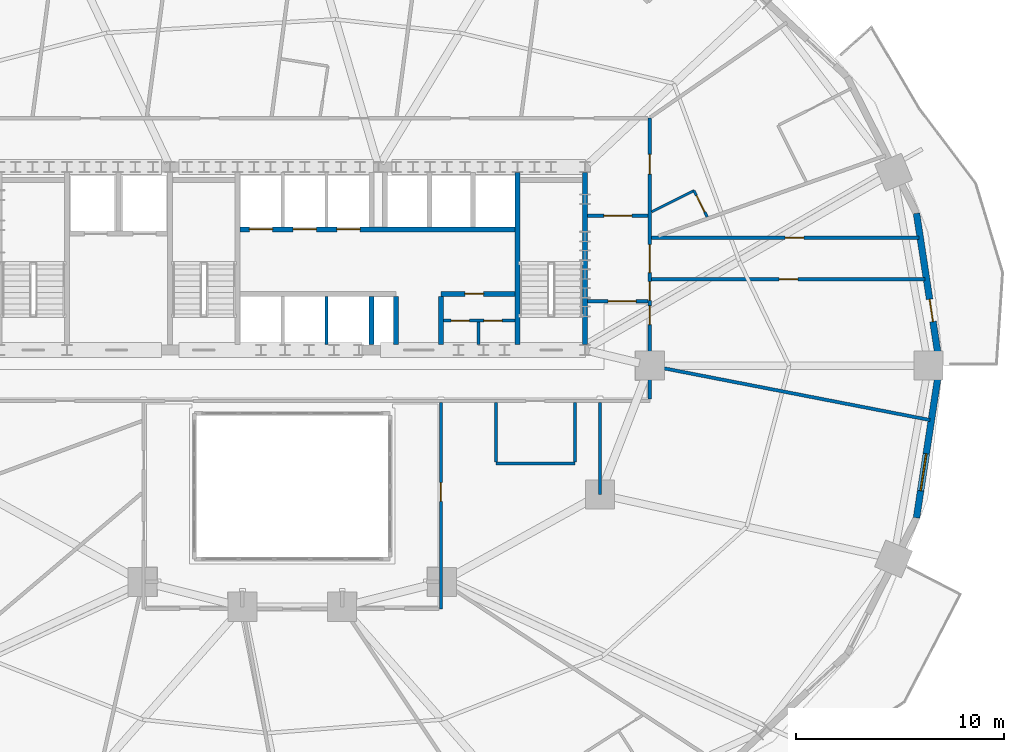
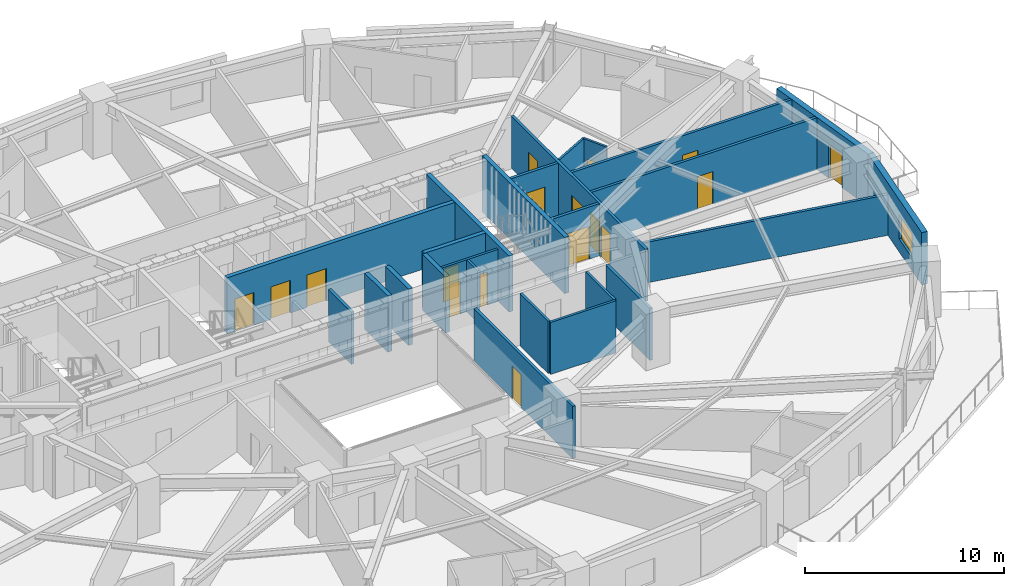
# One storey, part 11 of 17: 25 walls, 17 doors, 1 window, 18 openings.
"""IFC4 building model written with IfcOpenShell, lengths in metres."""

from ifc_helpers import new_model, si_unit, direction, frame, frame_2d, origin, place, context, subcontext, project, spatial, rectangle, extrude, material, layer, layer_set, type_object, element, fill, save


model = new_model("IFC4")

# Units and contexts
model_context = context("Model", 3, precision=1e-05, world=origin(), true_north=direction((0.0, 1.0)))
body_context = subcontext(model_context, "Body", "Model", "MODEL_VIEW")
ifc_project = project(units=[si_unit("LENGTHUNIT", "METRE"), si_unit("AREAUNIT", "SQUARE_METRE"), si_unit("VOLUMEUNIT", "CUBIC_METRE"), si_unit("PLANEANGLEUNIT", "RADIAN"), si_unit("MASSUNIT", "GRAM", prefix="KILO")], contexts=[model_context])

# Site, building, storey
site_placement = place(None, origin())
site = spatial("IfcSite", under=ifc_project, at=site_placement, CompositionType="ELEMENT")
building_placement = place(site_placement, origin())
building = spatial("IfcBuilding", under=site, at=building_placement, Name="Haldorwick Loom Tower", CompositionType="ELEMENT")
storey_placement = place(building_placement, frame((0.0, 0.0, 58.5)))
storey = spatial("IfcBuildingStorey", under=building, at=storey_placement, Name="L15", CompositionType="ELEMENT", Elevation=58.5)

# Wall, opening, door
ifc_material_1 = material(Name="Pressed Clay Face Brick and Insulated Masonry Backup Assembly", Category="masonry")
ifc_layer_1 = layer(ifc_material_1, 0.320068359375, Name="Pressed Clay Face Brick and Insulated Masonry Backup Assembly", Category="masonry")
ifc_layer_set_1 = layer_set([ifc_layer_1], Name="Pressed Clay Face Brick and Insulated Masonry Backup Assembly")
wall_type_1 = type_object("IfcWallType", Name="ARC-WL-EXT320", PredefinedType="STANDARD", material=ifc_layer_set_1)
wall_1_placement = place(storey_placement, frame((67.135986328125, 26.0, 0.0), z_axis=(0.0, 0.0, 1.0), x_axis=(-0.150476322528, 0.988613613278, 0.0)))
wall_1 = element("IfcWall", 1, at=wall_1_placement, inside=storey, type_object=wall_type_1, Name="L15 Brick Pier and Spandrel Wall 1", PredefinedType="STANDARD", context=body_context, shape_type="SweptSolid", body=[
    extrude(rectangle(XDim=7.40478515625, YDim=0.320068359375, at=frame_2d((3.702392578125, 0.0))), origin(), (0.0, 0.0, 1.0), 3.2099609375),
])
opening_1_placement = place(wall_1_placement, frame((2.1416015625, 0.0, 0.0)))
opening_1 = element("IfcOpeningElement", 2, at=opening_1_placement, cuts=wall_1, Name="Opening D-BL11", PredefinedType="OPENING", context=body_context, shape_type="SweptSolid", body=[
    extrude(rectangle(XDim=1.080078125, YDim=2.0400390625, at=frame_2d((0.5400390625, 1.02001953125))), frame((0.0, 0.169921875, 0.0), z_axis=(0.0, -1.0, 0.0), x_axis=(1.0, 0.0, 0.0)), (0.0, 0.0, 1.0), 0.340087890625),
])
ifc_material_2 = material(Name="Thermally Broken Anodized Aluminium Curtain Wall Framing", Category="aluminium")
door_type_1 = type_object("IfcDoorType", Name="ARC-DR-BAL110", OperationType="NOTDEFINED", PredefinedType="DOOR", material=ifc_material_2)
door_1_placement = place(opening_1_placement, origin())
door_1 = element("IfcDoor", 3, at=door_1_placement, inside=storey, type_object=door_type_1, Name="L15 Outdoor Terrace Door SLB-L15-BAL_ENE", OperationType="SINGLE_SWING_RIGHT", OverallHeight=2.0400390625, OverallWidth=1.080078125, PredefinedType="DOOR", context=body_context, shape_type="SweptSolid", body=[
    extrude(rectangle(XDim=1.080078125, YDim=2.0400390625, at=frame_2d((0.5400390625, 1.02001953125))), frame((0.0, 0.02490234375, 0.0), z_axis=(0.0, -1.0, 0.0), x_axis=(1.0, 0.0, 0.0)), (0.0, 0.0, 1.0), 0.050048828125),
])
fill(opening_1, door_1)

# Wall, opening, window
wall_2_placement = place(storey_placement, frame((66.021728515625, 18.679443359375, 0.0), z_axis=(0.0, 0.0, 1.0), x_axis=(0.150476322528, 0.988613613278, 0.0)))
wall_2 = element("IfcWall", 4, at=wall_2_placement, inside=storey, type_object=wall_type_1, Name="L15 Brick Pier and Spandrel Wall 24", PredefinedType="STANDARD", context=body_context, shape_type="SweptSolid", body=[
    extrude(rectangle(XDim=7.40478515625, YDim=0.320068359375, at=frame_2d((3.702392578125, 0.0))), origin(), (0.0, 0.0, 1.0), 3.2099609375),
])
opening_2_placement = place(wall_2_placement, frame((1.321533203125, 0.0, 0.800048828125)))
opening_2 = element("IfcOpeningElement", 5, at=opening_2_placement, cuts=wall_2, Name="Opening W-01", PredefinedType="OPENING", context=body_context, shape_type="SweptSolid", body=[
    extrude(rectangle(XDim=1.800048828125, YDim=1.47998046875, at=frame_2d((0.89990234375, 0.739990234375))), frame((0.0, 0.169921875, 0.0), z_axis=(0.0, -1.0, 0.0), x_axis=(1.0, 0.0, 0.0)), (0.0, 0.0, 1.0), 0.340087890625),
])
ifc_material_3 = material(Name="Triple-Glazed Low-E Argon Insulated Glazing Unit", Category="glass")
window_type = type_object("IfcWindowType", Name="ARC-WIN-W180", PartitioningType="SINGLE_PANEL", PredefinedType="WINDOW", material=ifc_material_3)
window_placement = place(opening_2_placement, origin())
window = element("IfcWindow", 6, at=window_placement, inside=storey, type_object=window_type, Name="L15 Deep-Set Zone 7A Window 24", OverallHeight=1.47998046875, OverallWidth=1.800048828125, PartitioningType="SINGLE_PANEL", PredefinedType="WINDOW", context=body_context, shape_type="SweptSolid", body=[
    extrude(rectangle(XDim=1.800048828125, YDim=1.47998046875, at=frame_2d((0.89990234375, 0.739990234375))), frame((0.0, 0.030029296875, 0.0), z_axis=(0.0, -1.0, 0.0), x_axis=(1.0, 0.0, 0.0)), (0.0, 0.0, 1.0), 0.06005859375),
])
fill(opening_2, window)

# Wall, openings, doors
ifc_material_4 = material(Name="Fire-Rated Type X Gypsum Stud Assembly EI 60")
ifc_layer_2 = layer(ifc_material_4, 0.159912109375, Name="Fire-Rated Type X Gypsum Stud Assembly EI 60")
ifc_layer_set_2 = layer_set([ifc_layer_2], Name="Fire-Rated Type X Gypsum Stud Assembly EI 60")
wall_type_2 = type_object("IfcWallType", Name="ARC-WL-FIRE160", PredefinedType="PARTITIONING", material=ifc_layer_set_2)
wall_3_placement = place(storey_placement, frame((53.199951171875, 24.383056640625, 0.0), z_axis=(0.0, 0.0, 1.0), x_axis=(0.0, 1.0, 0.0)))
wall_3 = element("IfcWall", 7, at=wall_3_placement, inside=storey, type_object=wall_type_2, Name="L15 Residential Fire Partition L15-CR-E0", PredefinedType="PARTITIONING", context=body_context, shape_type="SweptSolid", body=[
    extrude(rectangle(XDim=13.516845703125, YDim=0.159912109375, at=frame_2d((6.75830078125, 0.0))), origin(), (0.0, 0.0, 1.0), 3.195068359375),
])
opening_3_placement = place(wall_3_placement, frame((6.08349609375, 0.0, 0.0)))
opening_3 = element("IfcOpeningElement", 8, at=opening_3_placement, cuts=wall_3, Name="Opening D-CR15", PredefinedType="OPENING", context=body_context, shape_type="SweptSolid", body=[
    extrude(rectangle(XDim=1.35009765625, YDim=2.0, at=frame_2d((0.675048828125, 1.0))), frame((0.0, 0.08984375, 0.0), z_axis=(0.0, -1.0, 0.0), x_axis=(1.0, 0.0, 0.0)), (0.0, 0.0, 1.0), 0.179931640625),
])
opening_4_placement = place(wall_3_placement, frame((10.826171875, 0.0, 0.0)))
opening_4 = element("IfcOpeningElement", 9, at=opening_4_placement, cuts=wall_3, Name="Opening D-FL95", PredefinedType="OPENING", context=body_context, shape_type="SweptSolid", body=[
    extrude(rectangle(XDim=0.949951171875, YDim=2.0400390625, at=frame_2d((0.47509765625, 1.02001953125))), frame((0.0, 0.08984375, 0.0), z_axis=(0.0, -1.0, 0.0), x_axis=(1.0, 0.0, 0.0)), (0.0, 0.0, 1.0), 0.179931640625),
])
opening_5_placement = place(wall_3_placement, frame((3.5908203125, 0.0, 0.0)))
opening_5 = element("IfcOpeningElement", 10, at=opening_5_placement, cuts=wall_3, Name="Opening D-FD60A", PredefinedType="OPENING", context=body_context, shape_type="SweptSolid", body=[
    extrude(rectangle(XDim=0.89990234375, YDim=2.0, at=frame_2d((0.449951171875, 1.0))), frame((0.0, 0.08984375, 0.0), z_axis=(0.0, -1.0, 0.0), x_axis=(1.0, 0.0, 0.0)), (0.0, 0.0, 1.0), 0.179931640625),
])
opening_6_placement = place(wall_3_placement, frame((4.75732421875, 0.0, 0.0)))
opening_6 = element("IfcOpeningElement", 11, at=opening_6_placement, cuts=wall_3, Name="Opening D-FD60A", PredefinedType="OPENING", context=body_context, shape_type="SweptSolid", body=[
    extrude(rectangle(XDim=0.89990234375, YDim=2.0, at=frame_2d((0.449951171875, 1.0))), frame((0.0, 0.08984375, 0.0), z_axis=(0.0, -1.0, 0.0), x_axis=(1.0, 0.0, 0.0)), (0.0, 0.0, 1.0), 0.179931640625),
])
ifc_material_5 = material(Name="Thermally Broken Anodized Aluminium and Tempered Glass", Category="aluminium")
door_type_2 = type_object("IfcDoorType", Name="ARC-DR-COR150", OperationType="NOTDEFINED", PredefinedType="DOOR", material=ifc_material_5)
door_2_placement = place(opening_3_placement, origin())
door_2 = element("IfcDoor", 12, at=door_2_placement, inside=storey, type_object=door_type_2, Name="L15 L15 East Residential Corridor to L15 East Daylight Corridor Door", OperationType="DOUBLE_DOOR_SINGLE_SWING", OverallHeight=2.0, OverallWidth=1.35009765625, PredefinedType="DOOR", context=body_context, shape_type="SweptSolid", body=[
    extrude(rectangle(XDim=1.35009765625, YDim=2.0, at=frame_2d((0.675048828125, 1.0))), frame((0.0, 0.02490234375, 0.0), z_axis=(0.0, -1.0, 0.0), x_axis=(1.0, 0.0, 0.0)), (0.0, 0.0, 1.0), 0.050048828125),
])
fill(opening_3, door_2)
ifc_material_6 = material(Name="Hollow Steel Fire Door Assembly", Category="steel")
door_type_3 = type_object("IfcDoorType", Name="ARC-DR-FD60-90", OperationType="NOTDEFINED", PredefinedType="DOOR", material=ifc_material_6)
door_3_placement = place(opening_5_placement, origin())
door_3 = element("IfcDoor", 13, at=door_3_placement, inside=storey, type_object=door_type_3, Name="L15 L15 Central Residential Corridor to Resident Cafe Room 2 Door", OperationType="SINGLE_SWING_LEFT", OverallHeight=2.0, OverallWidth=0.89990234375, PredefinedType="DOOR", context=body_context, shape_type="SweptSolid", body=[
    extrude(rectangle(XDim=0.89990234375, YDim=2.0, at=frame_2d((0.449951171875, 1.0))), frame((0.0, 0.02490234375, 0.0), z_axis=(0.0, -1.0, 0.0), x_axis=(1.0, 0.0, 0.0)), (0.0, 0.0, 1.0), 0.050048828125),
])
fill(opening_5, door_3)
door_4_placement = place(opening_6_placement, origin())
door_4 = element("IfcDoor", 14, at=door_4_placement, inside=storey, type_object=door_type_3, Name="L15 L15 East Residential Corridor to Resident Cafe Room 2 Door", OperationType="SINGLE_SWING_RIGHT", OverallHeight=2.0, OverallWidth=0.89990234375, PredefinedType="DOOR", context=body_context, shape_type="SweptSolid", body=[
    extrude(rectangle(XDim=0.89990234375, YDim=2.0, at=frame_2d((0.449951171875, 1.0))), frame((0.0, 0.02490234375, 0.0), z_axis=(0.0, -1.0, 0.0), x_axis=(1.0, 0.0, 0.0)), (0.0, 0.0, 1.0), 0.050048828125),
])
fill(opening_6, door_4)
ifc_material_7 = material(Name="Solid Core Birch Architectural Door")
door_type_4 = type_object("IfcDoorType", Name="ARC-DR-FLAT95", OperationType="NOTDEFINED", PredefinedType="DOOR", material=ifc_material_7)
door_5_placement = place(opening_4_placement, origin())
door_5 = element("IfcDoor", 15, at=door_5_placement, inside=storey, type_object=door_type_4, Name="L15 L15 North Residential Corridor to Unit 15J Kitchen and Living Room D", OperationType="SINGLE_SWING_LEFT", OverallHeight=2.0400390625, OverallWidth=0.949951171875, PredefinedType="DOOR", context=body_context, shape_type="SweptSolid", body=[
    extrude(rectangle(XDim=0.949951171875, YDim=2.0400390625, at=frame_2d((0.47509765625, 1.02001953125))), frame((0.0, 0.02490234375, 0.0), z_axis=(0.0, -1.0, 0.0), x_axis=(1.0, 0.0, 0.0)), (0.0, 0.0, 1.0), 0.050048828125),
])
fill(opening_4, door_5)

# Wall, opening, door
wall_4_placement = place(storey_placement, frame((50.193115234375, 29.10009765625, 0.0), z_axis=(0.0, 0.0, 1.0), x_axis=(1.0, 0.0, 0.0)))
wall_4 = element("IfcWall", 16, at=wall_4_placement, inside=storey, type_object=wall_type_2, Name="L15 Residential Fire Partition L15-CR-ESJ", PredefinedType="PARTITIONING", context=body_context, shape_type="SweptSolid", body=[
    extrude(rectangle(XDim=2.923828125, YDim=0.159912109375, at=frame_2d((1.4619140625, 0.0))), origin(), (0.0, 0.0, 1.0), 3.195068359375),
])
opening_7_placement = place(wall_4_placement, frame((0.99560546875, 0.0, 0.0)))
opening_7 = element("IfcOpeningElement", 17, at=opening_7_placement, cuts=wall_4, Name="Opening D-CR15", PredefinedType="OPENING", context=body_context, shape_type="SweptSolid", body=[
    extrude(rectangle(XDim=1.35009765625, YDim=2.0, at=frame_2d((0.675048828125, 1.0))), frame((0.0, 0.08984375, 0.0), z_axis=(0.0, -1.0, 0.0), x_axis=(1.0, 0.0, 0.0)), (0.0, 0.0, 1.0), 0.179931640625),
])
door_6_placement = place(opening_7_placement, origin())
door_6 = element("IfcDoor", 18, at=door_6_placement, inside=storey, type_object=door_type_2, Name="L15 L15 East Residential Corridor to L15 Central Residential Corridor Do", OperationType="DOUBLE_DOOR_SINGLE_SWING", OverallHeight=2.0, OverallWidth=1.35009765625, PredefinedType="DOOR", context=body_context, shape_type="SweptSolid", body=[
    extrude(rectangle(XDim=1.35009765625, YDim=2.0, at=frame_2d((0.675048828125, 1.0))), frame((0.0, 0.02490234375, 0.0), z_axis=(0.0, -1.0, 0.0), x_axis=(1.0, 0.0, 0.0)), (0.0, 0.0, 1.0), 0.050048828125),
])
fill(opening_7, door_6)

wall_5_placement = place(storey_placement, frame((50.193115234375, 33.199951171875, 0.0), z_axis=(0.0, 0.0, 1.0), x_axis=(1.0, 0.0, 0.0)))
wall_5 = element("IfcWall", 19, at=wall_5_placement, inside=storey, type_object=wall_type_2, Name="L15 Residential Fire Partition L15-CR-ENJ", PredefinedType="PARTITIONING", context=body_context, shape_type="SweptSolid", body=[
    extrude(rectangle(XDim=2.923828125, YDim=0.159912109375, at=frame_2d((1.4619140625, 0.0))), origin(), (0.0, 0.0, 1.0), 3.195068359375),
])
opening_8_placement = place(wall_5_placement, frame((0.787109375, 0.0, 0.0)))
opening_8 = element("IfcOpeningElement", 20, at=opening_8_placement, cuts=wall_5, Name="Opening D-CR15", PredefinedType="OPENING", context=body_context, shape_type="SweptSolid", body=[
    extrude(rectangle(XDim=1.35009765625, YDim=2.0, at=frame_2d((0.675048828125, 1.0))), frame((0.0, 0.08984375, 0.0), z_axis=(0.0, -1.0, 0.0), x_axis=(1.0, 0.0, 0.0)), (0.0, 0.0, 1.0), 0.179931640625),
])
door_7_placement = place(opening_8_placement, origin())
door_7 = element("IfcDoor", 21, at=door_7_placement, inside=storey, type_object=door_type_2, Name="L15 L15 North Residential Corridor to L15 East Residential Corridor Door", OperationType="DOUBLE_DOOR_SINGLE_SWING", OverallHeight=2.0, OverallWidth=1.35009765625, PredefinedType="DOOR", context=body_context, shape_type="SweptSolid", body=[
    extrude(rectangle(XDim=1.35009765625, YDim=2.0, at=frame_2d((0.675048828125, 1.0))), frame((0.0, 0.02490234375, 0.0), z_axis=(0.0, -1.0, 0.0), x_axis=(1.0, 0.0, 0.0)), (0.0, 0.0, 1.0), 0.050048828125),
])
fill(opening_8, door_7)

wall_6_placement = place(storey_placement, frame((43.14990234375, 14.300048828125, 0.0), z_axis=(0.0, 0.0, 1.0), x_axis=(0.0, 1.0, 0.0)))
wall_6 = element("IfcWall", 22, at=wall_6_placement, inside=storey, type_object=wall_type_2, Name="L15 Residential Fire Partition L15-CR-AE", PredefinedType="PARTITIONING", context=body_context, shape_type="SweptSolid", body=[
    extrude(rectangle(XDim=9.9169921875, YDim=0.159912109375, at=frame_2d((4.95849609375, 0.0))), origin(), (0.0, 0.0, 1.0), 3.195068359375),
])
opening_9_placement = place(wall_6_placement, frame((5.169677734375, 0.0, 0.0)))
opening_9 = element("IfcOpeningElement", 23, at=opening_9_placement, cuts=wall_6, Name="Opening D-FD60A", PredefinedType="OPENING", context=body_context, shape_type="SweptSolid", body=[
    extrude(rectangle(XDim=0.89990234375, YDim=2.0, at=frame_2d((0.449951171875, 1.0))), frame((0.0, 0.08984375, 0.0), z_axis=(0.0, -1.0, 0.0), x_axis=(1.0, 0.0, 0.0)), (0.0, 0.0, 1.0), 0.179931640625),
])
door_8_placement = place(opening_9_placement, origin())
door_8 = element("IfcDoor", 24, at=door_8_placement, inside=storey, type_object=door_type_3, Name="L15 L15 South Atrium Corridor to Co-Working Open Office 5 Door", OperationType="SINGLE_SWING_LEFT", OverallHeight=2.0, OverallWidth=0.89990234375, PredefinedType="DOOR", context=body_context, shape_type="SweptSolid", body=[
    extrude(rectangle(XDim=0.89990234375, YDim=2.0, at=frame_2d((0.449951171875, 1.0))), frame((0.0, 0.02490234375, 0.0), z_axis=(0.0, -1.0, 0.0), x_axis=(1.0, 0.0, 0.0)), (0.0, 0.0, 1.0), 0.050048828125),
])
fill(opening_9, door_8)

wall_7_placement = place(storey_placement, frame((53.282958984375, 30.14990234375, 0.0), z_axis=(0.0, 0.0, 1.0), x_axis=(1.0, 0.0, 0.0)))
wall_7 = element("IfcWall", 25, at=wall_7_placement, inside=storey, type_object=wall_type_2, Name="L15 Residential Fire Partition L15-CR-GE0", PredefinedType="PARTITIONING", context=body_context, shape_type="SweptSolid", body=[
    extrude(rectangle(XDim=13.15576171875, YDim=0.159912109375, at=frame_2d((6.577880859375, 0.0))), origin(), (0.0, 0.0, 1.0), 3.195068359375),
])
opening_10_placement = place(wall_7_placement, frame((6.127685546875, 0.0, 0.0)))
opening_10 = element("IfcOpeningElement", 26, at=opening_10_placement, cuts=wall_7, Name="Opening D-FD60A", PredefinedType="OPENING", context=body_context, shape_type="SweptSolid", body=[
    extrude(rectangle(XDim=0.89990234375, YDim=2.0, at=frame_2d((0.449951171875, 1.0))), frame((0.0, 0.08984375, 0.0), z_axis=(0.0, -1.0, 0.0), x_axis=(1.0, 0.0, 0.0)), (0.0, 0.0, 1.0), 0.179931640625),
])
door_9_placement = place(opening_10_placement, origin())
door_9 = element("IfcDoor", 27, at=door_9_placement, inside=storey, type_object=door_type_3, Name="L15 L15 East Daylight Corridor to Resident Cafe Room 2 Door", OperationType="SINGLE_SWING_LEFT", OverallHeight=2.0, OverallWidth=0.89990234375, PredefinedType="DOOR", context=body_context, shape_type="SweptSolid", body=[
    extrude(rectangle(XDim=0.89990234375, YDim=2.0, at=frame_2d((0.449951171875, 1.0))), frame((0.0, 0.02490234375, 0.0), z_axis=(0.0, -1.0, 0.0), x_axis=(1.0, 0.0, 0.0)), (0.0, 0.0, 1.0), 0.050048828125),
])
fill(opening_10, door_9)

wall_8_placement = place(storey_placement, frame((53.282958984375, 32.14990234375, 0.0), z_axis=(0.0, 0.0, 1.0), x_axis=(1.0, 0.0, 0.0)))
wall_8 = element("IfcWall", 28, at=wall_8_placement, inside=storey, type_object=wall_type_2, Name="L15 Residential Fire Partition L15-CR-GE1", PredefinedType="PARTITIONING", context=body_context, shape_type="SweptSolid", body=[
    extrude(rectangle(XDim=12.851318359375, YDim=0.159912109375, at=frame_2d((6.42578125, 0.0))), origin(), (0.0, 0.0, 1.0), 3.195068359375),
])
opening_11_placement = place(wall_8_placement, frame((6.418701171875, 0.0, 0.0)))
opening_11 = element("IfcOpeningElement", 29, at=opening_11_placement, cuts=wall_8, Name="Opening D-FD60A", PredefinedType="OPENING", context=body_context, shape_type="SweptSolid", body=[
    extrude(rectangle(XDim=0.89990234375, YDim=2.0, at=frame_2d((0.449951171875, 1.0))), frame((0.0, 0.08984375, 0.0), z_axis=(0.0, -1.0, 0.0), x_axis=(1.0, 0.0, 0.0)), (0.0, 0.0, 1.0), 0.179931640625),
])
door_10_placement = place(opening_11_placement, frame((0.89990234375, 0.0, 0.0), z_axis=(0.0, 0.0, 1.0), x_axis=(-1.0, 0.0, 0.0)))
door_10 = element("IfcDoor", 30, at=door_10_placement, inside=storey, type_object=door_type_3, Name="L15 Tenant Committee Meeting Room 9 to L15 East Daylight Corridor Door", OperationType="SINGLE_SWING_LEFT", OverallHeight=2.0, OverallWidth=0.89990234375, PredefinedType="DOOR", context=body_context, shape_type="SweptSolid", body=[
    extrude(rectangle(XDim=0.89990234375, YDim=2.0, at=frame_2d((0.449951171875, 1.0))), frame((0.0, 0.02490234375, 0.0), z_axis=(0.0, -1.0, 0.0), x_axis=(1.0, 0.0, 0.0)), (0.0, 0.0, 1.0), 0.050048828125),
])
fill(opening_11, door_10)

# Walls
wall_9_placement = place(storey_placement, frame((53.282958984375, 25.98388671875, 0.0), z_axis=(0.0, 0.0, 1.0), x_axis=(0.98162656706, -0.190812166391, 0.0)))
element("IfcWall", 31, at=wall_9_placement, inside=storey, type_object=wall_type_2, Name="L15 Residential Fire Partition L15-ICR-01", PredefinedType="PARTITIONING", context=body_context, shape_type="SweptSolid", body=[
    extrude(rectangle(XDim=13.63916015625, YDim=0.159912109375, at=frame_2d((6.819580078125, 0.0))), origin(), (0.0, 0.0, 1.0), 2.489990234375),
])
wall_10_placement = place(storey_placement, frame((50.800048828125, 24.217041015625, 0.0), z_axis=(0.0, 0.0, 1.0), x_axis=(0.0, -1.0, 0.0)))
element("IfcWall", 32, at=wall_10_placement, inside=storey, type_object=wall_type_2, Name="L15 Residential Fire Partition L15-ICA-02", PredefinedType="PARTITIONING", context=body_context, shape_type="SweptSolid", body=[
    extrude(rectangle(XDim=4.4169921875, YDim=0.159912109375, at=frame_2d((2.20849609375, 0.0))), origin(), (0.0, 0.0, 1.0), 3.195068359375),
])

# Wall, opening, door
ifc_material_8 = material(Name="Acoustic Gypsum Stud Assembly STC 55")
ifc_layer_3 = layer(ifc_material_8, 0.1201171875, Name="Acoustic Gypsum Stud Assembly STC 55")
ifc_layer_set_3 = layer_set([ifc_layer_3], Name="Acoustic Gypsum Stud Assembly STC 55")
wall_type_3 = type_object("IfcWallType", Name="ARC-WL-PART120", PredefinedType="PARTITIONING", material=ifc_layer_set_3)
wall_11_placement = place(storey_placement, frame((55.95458984375, 33.152099609375, 0.0), z_axis=(0.0, 0.0, 1.0), x_axis=(-0.449491547188, 0.893284584557, 0.0)))
wall_11 = element("IfcWall", 33, at=wall_11_placement, inside=storey, type_object=wall_type_3, Name="L15 Unit 15J Interior Partition", PredefinedType="PARTITIONING", context=body_context, shape_type="SweptSolid", body=[
    extrude(rectangle(XDim=1.413818359375, YDim=0.1201171875, at=frame_2d((0.70703125, 0.0))), origin(), (0.0, 0.0, 1.0), 3.195068359375),
])
opening_12_placement = place(wall_11_placement, frame((0.266845703125, 0.0, 0.0)))
opening_12 = element("IfcOpeningElement", 34, at=opening_12_placement, cuts=wall_11, Name="Opening D-BT88", PredefinedType="OPENING", context=body_context, shape_type="SweptSolid", body=[
    extrude(rectangle(XDim=0.8798828125, YDim=2.02001953125, at=frame_2d((0.43994140625, 1.010009765625))), frame((0.0, 0.070068359375, 0.0), z_axis=(0.0, -1.0, 0.0), x_axis=(1.0, 0.0, 0.0)), (0.0, 0.0, 1.0), 0.14013671875),
])
door_type_5 = type_object("IfcDoorType", Name="ARC-DR-BATH88", OperationType="NOTDEFINED", PredefinedType="DOOR", material=ifc_material_7)
door_11_placement = place(opening_12_placement, origin())
door_11 = element("IfcDoor", 35, at=door_11_placement, inside=storey, type_object=door_type_5, Name="L15 Unit 15J Bathroom to Unit 15J Kitchen and Living Room Door", OperationType="SINGLE_SWING_RIGHT", OverallHeight=2.02001953125, OverallWidth=0.8798828125, PredefinedType="DOOR", context=body_context, shape_type="SweptSolid", body=[
    extrude(rectangle(XDim=0.8798828125, YDim=2.02001953125, at=frame_2d((0.43994140625, 1.010009765625))), frame((0.0, 0.02490234375, 0.0), z_axis=(0.0, -1.0, 0.0), x_axis=(1.0, 0.0, 0.0)), (0.0, 0.0, 1.0), 0.050048828125),
])
fill(opening_12, door_11)

# Wall
wall_12_placement = place(storey_placement, frame((53.282958984375, 33.390380859375, 0.0), z_axis=(0.0, 0.0, 1.0), x_axis=(0.893267449767, 0.449525597922, 0.0)))
element("IfcWall", 36, at=wall_12_placement, inside=storey, type_object=wall_type_3, Name="L15 Unit 15J Interior Partition", PredefinedType="PARTITIONING", context=body_context, shape_type="SweptSolid", body=[
    extrude(rectangle(XDim=2.279541015625, YDim=0.1201171875, at=frame_2d((1.1396484375, 0.0))), origin(), (0.0, 0.0, 1.0), 3.195068359375),
])

# Wall, openings, doors
ifc_layer_4 = layer(ifc_material_4, 0.139892578125, Name="Fire-Rated Type X Gypsum Stud Assembly EI 60")
ifc_layer_set_4 = layer_set([ifc_layer_4], Name="Fire-Rated Type X Gypsum Stud Assembly EI 60")
wall_type_4 = type_object("IfcWallType", Name="ARC-WL-PART140", PredefinedType="PARTITIONING", material=ifc_layer_set_4)
wall_13_placement = place(storey_placement, frame((43.27294921875, 28.159912109375, 0.0), z_axis=(0.0, 0.0, 1.0), x_axis=(1.0, 0.0, 0.0)))
wall_13 = element("IfcWall", 37, at=wall_13_placement, inside=storey, type_object=wall_type_4, Name="L15 Telecom Partition", PredefinedType="PARTITIONING", context=body_context, shape_type="SweptSolid", body=[
    extrude(rectangle(XDim=3.43408203125, YDim=0.139892578125, at=frame_2d((1.717041015625, 0.0))), origin(), (0.0, 0.0, 1.0), 3.195068359375),
])
opening_13_placement = place(wall_13_placement, frame((0.366943359375, 0.0, 0.0)))
opening_13 = element("IfcOpeningElement", 38, at=opening_13_placement, cuts=wall_13, Name="Opening D-BT88", PredefinedType="OPENING", context=body_context, shape_type="SweptSolid", body=[
    extrude(rectangle(XDim=0.8798828125, YDim=2.02001953125, at=frame_2d((0.43994140625, 1.010009765625))), frame((0.0, 0.079833984375, 0.0), z_axis=(0.0, -1.0, 0.0), x_axis=(1.0, 0.0, 0.0)), (0.0, 0.0, 1.0), 0.159912109375),
])
opening_14_placement = place(wall_13_placement, frame((1.93701171875, 0.0, 0.0)))
opening_14 = element("IfcOpeningElement", 39, at=opening_14_placement, cuts=wall_13, Name="Opening D-BT88", PredefinedType="OPENING", context=body_context, shape_type="SweptSolid", body=[
    extrude(rectangle(XDim=0.8798828125, YDim=2.02001953125, at=frame_2d((0.43994140625, 1.010009765625))), frame((0.0, 0.079833984375, 0.0), z_axis=(0.0, -1.0, 0.0), x_axis=(1.0, 0.0, 0.0)), (0.0, 0.0, 1.0), 0.159912109375),
])
door_12_placement = place(opening_13_placement, origin())
door_12 = element("IfcDoor", 40, at=door_12_placement, inside=storey, type_object=door_type_5, Name="L15 Telecom Room Door", OperationType="SINGLE_SWING_LEFT", OverallHeight=2.02001953125, OverallWidth=0.8798828125, PredefinedType="DOOR", context=body_context, shape_type="SweptSolid", body=[
    extrude(rectangle(XDim=0.8798828125, YDim=2.02001953125, at=frame_2d((0.43994140625, 1.010009765625))), frame((0.0, 0.02490234375, 0.0), z_axis=(0.0, -1.0, 0.0), x_axis=(1.0, 0.0, 0.0)), (0.0, 0.0, 1.0), 0.050048828125),
])
fill(opening_13, door_12)
door_13_placement = place(opening_14_placement, origin())
door_13 = element("IfcDoor", 41, at=door_13_placement, inside=storey, type_object=door_type_5, Name="L15 Metering Closet Door", OperationType="SINGLE_SWING_RIGHT", OverallHeight=2.02001953125, OverallWidth=0.8798828125, PredefinedType="DOOR", context=body_context, shape_type="SweptSolid", body=[
    extrude(rectangle(XDim=0.8798828125, YDim=2.02001953125, at=frame_2d((0.43994140625, 1.010009765625))), frame((0.0, 0.02490234375, 0.0), z_axis=(0.0, -1.0, 0.0), x_axis=(1.0, 0.0, 0.0)), (0.0, 0.0, 1.0), 0.050048828125),
])
fill(opening_14, door_13)

# Walls
wall_14_placement = place(storey_placement, frame((44.949951171875, 27.0029296875, 0.0), z_axis=(0.0, 0.0, 1.0), x_axis=(0.0, 1.0, 0.0)))
element("IfcWall", 42, at=wall_14_placement, inside=storey, type_object=wall_type_4, Name="L15 Metering Sub-Partition", PredefinedType="PARTITIONING", context=body_context, shape_type="SweptSolid", body=[
    extrude(rectangle(XDim=1.083984375, YDim=0.139892578125, at=frame_2d((0.5419921875, 0.0))), origin(), (0.0, 0.0, 1.0), 3.195068359375),
])
wall_15_placement = place(storey_placement, frame((45.800048828125, 21.300048828125, 0.0), z_axis=(0.0, 0.0, 1.0), x_axis=(1.0, 0.0, 0.0)))
element("IfcWall", 43, at=wall_15_placement, inside=storey, type_object=wall_type_4, Name="L15 Residential Fire Partition L15-CWC-S", PredefinedType="PARTITIONING", context=body_context, shape_type="SweptSolid", body=[
    extrude(rectangle(XDim=3.800048828125, YDim=0.139892578125, at=frame_2d((1.89990234375, 0.0))), origin(), (0.0, 0.0, 1.0), 3.195068359375),
])
for number, where, z_axis, x_axis, name in (
    (44, (45.800048828125, 21.373046875, 0.0), (0.0, 0.0, 1.0), (0.0, 1.0, 0.0), "L15 Residential Fire Partition L15-CWC-W"),
    (45, (49.60009765625, 21.373046875, 0.0), (0.0, 0.0, 1.0), (0.0, 1.0, 0.0), "L15 Residential Fire Partition L15-CWC-E"),
):
    element("IfcWall", number, at=place(storey_placement, frame(where, z_axis=z_axis, x_axis=x_axis)), inside=storey, type_object=wall_type_4, Name=name, PredefinedType="PARTITIONING", context=body_context, shape_type="SweptSolid", body=[
        extrude(rectangle(XDim=2.843994140625, YDim=0.139892578125, at=frame_2d((1.421875, 0.0))), origin(), (0.0, 0.0, 1.0), 3.195068359375),
    ])
ifc_material_9 = material(Name="Fire-Rated Type X Gypsum Stud Assembly EI 120")
ifc_layer_5 = layer(ifc_material_9, 0.1650390625, Name="Fire-Rated Type X Gypsum Stud Assembly EI 120")
ifc_layer_set_5 = layer_set([ifc_layer_5], Name="Fire-Rated Type X Gypsum Stud Assembly EI 120")
wall_type_5 = type_object("IfcWallType", Name="ARC-WL-SHAFT160", PredefinedType="MOVABLE", material=ifc_layer_set_5)
wall_16_placement = place(storey_placement, frame((37.64990234375, 27.0029296875, 0.0), z_axis=(0.0, 0.0, 1.0), x_axis=(0.0, 1.0, 0.0)))
element("IfcWall", 46, at=wall_16_placement, inside=storey, type_object=wall_type_5, Name="L15 Mid-Rise Hoistway Divider 2", PredefinedType="MOVABLE", context=body_context, shape_type="SweptSolid", body=[
    extrude(rectangle(XDim=2.323974609375, YDim=0.159912109375, at=frame_2d((1.162109375, 0.0))), origin(), (0.0, 0.0, 1.0), 3.195068359375),
])
ifc_material_10 = material(Name="Concrete C50 (50 MPa)", Category="concrete")
ifc_layer_6 = layer(ifc_material_10, 0.239990234375, Name="Concrete C50 (50 MPa)", Category="concrete")
ifc_layer_set_6 = layer_set([ifc_layer_6], Name="Concrete C50 (50 MPa)")
wall_type_6 = type_object("IfcWallType", Name="STR-WL-SHAFT240", PredefinedType="SHEAR", material=ifc_layer_set_6)
for number, where, z_axis, x_axis, name in (
    (47, (50.070068359375, 27.0029296875, 0.0), (0.0, 0.0, 1.0), (0.0, 1.0, 0.0), "L15 Core Shear Wall E"),
    (48, (46.830078125, 27.0029296875, 0.0), (0.0, 0.0, 1.0), (0.0, 1.0, 0.0), "L15 Core Shear Wall 4"),
):
    element("IfcWall", number, at=place(storey_placement, frame(where, z_axis=z_axis, x_axis=x_axis)), inside=storey, type_object=wall_type_6, Name=name, PredefinedType="SHEAR", context=body_context, shape_type="SweptSolid", body=[
        extrude(rectangle(XDim=8.294189453125, YDim=0.239990234375, at=frame_2d((4.14697265625, 0.0))), origin(), (0.0, 0.0, 1.0), 3.449951171875),
    ])

# Wall, openings, doors
wall_17_placement = place(storey_placement, frame((33.492919921875, 32.550048828125, 0.0), z_axis=(0.0, 0.0, 1.0), x_axis=(1.0, 0.0, 0.0)))
wall_17 = element("IfcWall", 49, at=wall_17_placement, inside=storey, type_object=wall_type_6, Name="L15 Core Shear Wall LN", PredefinedType="SHEAR", context=body_context, shape_type="SweptSolid", body=[
    extrude(rectangle(XDim=13.214111328125, YDim=0.239990234375, at=frame_2d((6.60693359375, 0.0))), origin(), (0.0, 0.0, 1.0), 3.449951171875),
])
opening_15_placement = place(wall_17_placement, frame((0.447021484375, 0.0, 0.0)))
opening_15 = element("IfcOpeningElement", 50, at=opening_15_placement, cuts=wall_17, Name="Opening LD-L1", PredefinedType="OPENING", context=body_context, shape_type="SweptSolid", body=[
    extrude(rectangle(XDim=1.1201171875, YDim=2.0, at=frame_2d((0.56005859375, 1.0))), frame((0.0, 0.1298828125, 0.0), z_axis=(0.0, -1.0, 0.0), x_axis=(1.0, 0.0, 0.0)), (0.0, 0.0, 1.0), 0.260009765625),
])
opening_16_placement = place(wall_17_placement, frame((2.547119140625, 0.0, 0.0)))
opening_16 = element("IfcOpeningElement", 51, at=opening_16_placement, cuts=wall_17, Name="Opening LD-L2", PredefinedType="OPENING", context=body_context, shape_type="SweptSolid", body=[
    extrude(rectangle(XDim=1.1201171875, YDim=2.0, at=frame_2d((0.56005859375, 1.0))), frame((0.0, 0.1298828125, 0.0), z_axis=(0.0, -1.0, 0.0), x_axis=(1.0, 0.0, 0.0)), (0.0, 0.0, 1.0), 0.260009765625),
])
opening_17_placement = place(wall_17_placement, frame((4.64697265625, 0.0, 0.0)))
opening_17 = element("IfcOpeningElement", 52, at=opening_17_placement, cuts=wall_17, Name="Opening LD-L3", PredefinedType="OPENING", context=body_context, shape_type="SweptSolid", body=[
    extrude(rectangle(XDim=1.1201171875, YDim=2.0, at=frame_2d((0.56005859375, 1.0))), frame((0.0, 0.1298828125, 0.0), z_axis=(0.0, -1.0, 0.0), x_axis=(1.0, 0.0, 0.0)), (0.0, 0.0, 1.0), 0.260009765625),
])
door_type_6 = type_object("IfcDoorType", Name="ARC-DR-LD-PAX", OperationType="NOTDEFINED", PredefinedType="USERDEFINED", material=ifc_material_6)
door_14_placement = place(opening_15_placement, origin())
door_14 = element("IfcDoor", 53, at=door_14_placement, inside=storey, type_object=door_type_6, Name="L15 Lift LF-L1 Sliding Landing Door", ObjectType="LANDING DOOR", OperationType="DOUBLE_DOOR_SLIDING", OverallHeight=2.0, OverallWidth=1.1201171875, PredefinedType="USERDEFINED", context=body_context, shape_type="SweptSolid", body=[
    extrude(rectangle(XDim=1.1201171875, YDim=2.0, at=frame_2d((0.56005859375, 1.0))), frame((0.0, 0.02490234375, 0.0), z_axis=(0.0, -1.0, 0.0), x_axis=(1.0, 0.0, 0.0)), (0.0, 0.0, 1.0), 0.050048828125),
])
fill(opening_15, door_14)
door_15_placement = place(opening_16_placement, origin())
door_15 = element("IfcDoor", 54, at=door_15_placement, inside=storey, type_object=door_type_6, Name="L15 Lift LF-L2 Sliding Landing Door", ObjectType="LANDING DOOR", OperationType="DOUBLE_DOOR_SLIDING", OverallHeight=2.0, OverallWidth=1.1201171875, PredefinedType="USERDEFINED", context=body_context, shape_type="SweptSolid", body=[
    extrude(rectangle(XDim=1.1201171875, YDim=2.0, at=frame_2d((0.56005859375, 1.0))), frame((0.0, 0.02490234375, 0.0), z_axis=(0.0, -1.0, 0.0), x_axis=(1.0, 0.0, 0.0)), (0.0, 0.0, 1.0), 0.050048828125),
])
fill(opening_16, door_15)
door_16_placement = place(opening_17_placement, origin())
door_16 = element("IfcDoor", 55, at=door_16_placement, inside=storey, type_object=door_type_6, Name="L15 Lift LF-L3 Sliding Landing Door", ObjectType="LANDING DOOR", OperationType="DOUBLE_DOOR_SLIDING", OverallHeight=2.0, OverallWidth=1.1201171875, PredefinedType="USERDEFINED", context=body_context, shape_type="SweptSolid", body=[
    extrude(rectangle(XDim=1.1201171875, YDim=2.0, at=frame_2d((0.56005859375, 1.0))), frame((0.0, 0.02490234375, 0.0), z_axis=(0.0, -1.0, 0.0), x_axis=(1.0, 0.0, 0.0)), (0.0, 0.0, 1.0), 0.050048828125),
])
fill(opening_17, door_16)

# Wall, opening, door
wall_18_placement = place(storey_placement, frame((43.14990234375, 29.449951171875, 0.0), z_axis=(0.0, 0.0, 1.0), x_axis=(1.0, 0.0, 0.0)))
wall_18 = element("IfcWall", 56, at=wall_18_placement, inside=storey, type_object=wall_type_6, Name="L15 Core Shear Wall LS2", PredefinedType="SHEAR", context=body_context, shape_type="SweptSolid", body=[
    extrude(rectangle(XDim=3.55712890625, YDim=0.239990234375, at=frame_2d((1.778564453125, 0.0))), origin(), (0.0, 0.0, 1.0), 3.449951171875),
])
opening_18_placement = place(wall_18_placement, frame((1.14990234375, 0.0, 0.0)))
opening_18 = element("IfcOpeningElement", 57, at=opening_18_placement, cuts=wall_18, Name="Opening D-FD60A", PredefinedType="OPENING", context=body_context, shape_type="SweptSolid", body=[
    extrude(rectangle(XDim=0.89990234375, YDim=2.0, at=frame_2d((0.449951171875, 1.0))), frame((0.0, 0.1298828125, 0.0), z_axis=(0.0, -1.0, 0.0), x_axis=(1.0, 0.0, 0.0)), (0.0, 0.0, 1.0), 0.260009765625),
])
door_17_placement = place(opening_18_placement, origin())
door_17 = element("IfcDoor", 58, at=door_17_placement, inside=storey, type_object=door_type_3, Name="L15 Janitor Closet Door", OperationType="SINGLE_SWING_LEFT", OverallHeight=2.0, OverallWidth=0.89990234375, PredefinedType="DOOR", context=body_context, shape_type="SweptSolid", body=[
    extrude(rectangle(XDim=0.89990234375, YDim=2.0, at=frame_2d((0.449951171875, 1.0))), frame((0.0, 0.02490234375, 0.0), z_axis=(0.0, -1.0, 0.0), x_axis=(1.0, 0.0, 0.0)), (0.0, 0.0, 1.0), 0.050048828125),
])
fill(opening_18, door_17)

# Walls
for number, where, z_axis, x_axis, name in (
    (59, (41.0, 27.0029296875, 0.0), (0.0, 0.0, 1.0), (0.0, 1.0, 0.0), "L15 Core Shear Wall THW"),
    (60, (43.14990234375, 27.0029296875, 0.0), (0.0, 0.0, 1.0), (0.0, 1.0, 0.0), "L15 Core Shear Wall THE"),
    (61, (39.800048828125, 27.0029296875, 0.0), (0.0, 0.0, 1.0), (0.0, 1.0, 0.0), "L15 Core Shear Wall MRW"),
):
    element("IfcWall", number, at=place(storey_placement, frame(where, z_axis=z_axis, x_axis=x_axis)), inside=storey, type_object=wall_type_6, Name=name, PredefinedType="SHEAR", context=body_context, shape_type="SweptSolid", body=[
        extrude(rectangle(XDim=2.323974609375, YDim=0.239990234375, at=frame_2d((1.162109375, 0.0))), origin(), (0.0, 0.0, 1.0), 3.449951171875),
    ])

save(model, "model.ifc")
